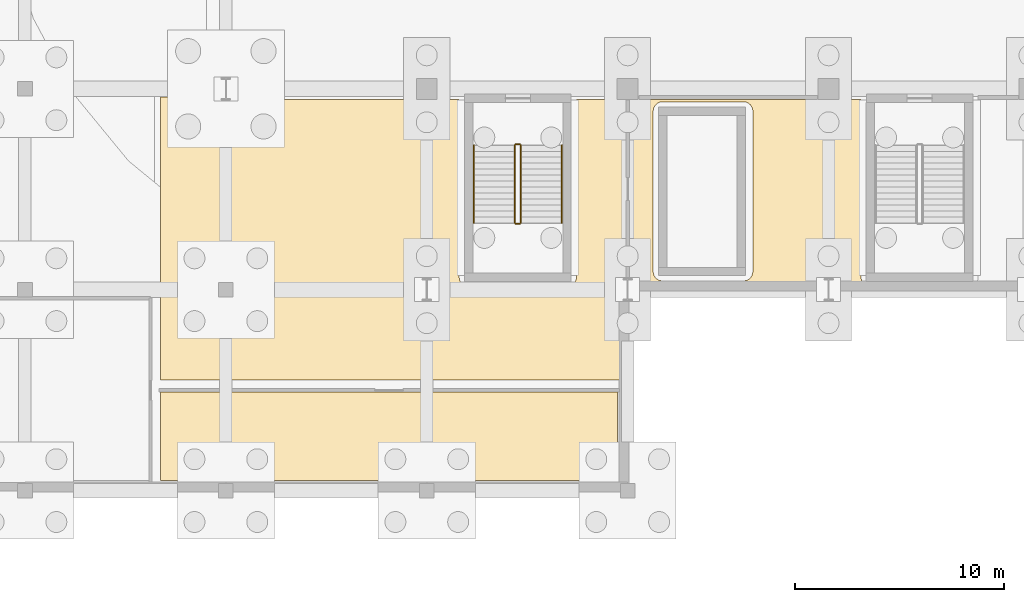
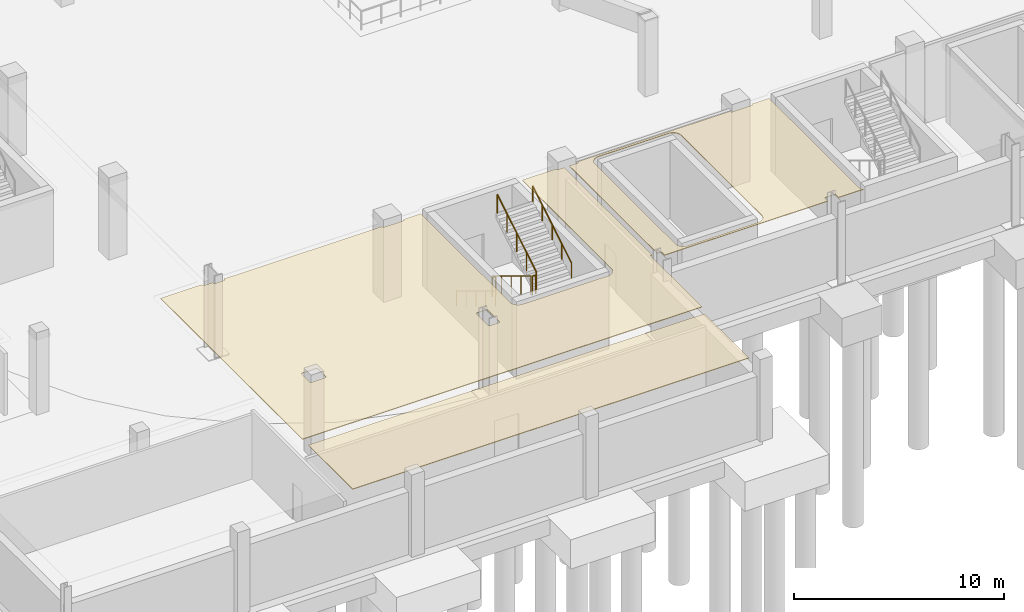
# One storey, part 43 of 67: 6 railings, 3 coverings.
"""IFC4 building model written with IfcOpenShell, lengths in metres."""

from ifc_helpers import new_model, si_unit, direction, frame, origin, origin_2d, place, context, subcontext, project, spatial, polyline, circle, outline, extrude, material, layer, layer_set, type_object, element, save


model = new_model("IFC4")

# Units and contexts
model_context = context("Model", 3, precision=1e-05, world=origin(), true_north=direction((0.0, 1.0)))
body_context = subcontext(model_context, "Body", "Model", "MODEL_VIEW")
ifc_project = project(units=[si_unit("LENGTHUNIT", "METRE"), si_unit("AREAUNIT", "SQUARE_METRE"), si_unit("VOLUMEUNIT", "CUBIC_METRE"), si_unit("PLANEANGLEUNIT", "RADIAN"), si_unit("MASSUNIT", "GRAM", prefix="KILO")], contexts=[model_context])

# Site, building, storey
site_placement = place(None, origin())
site = spatial("IfcSite", under=ifc_project, at=site_placement, CompositionType="ELEMENT")
building_placement = place(site_placement, origin())
building = spatial("IfcBuilding", under=site, at=building_placement, Name="Caelomonte Colonnade Arena", CompositionType="ELEMENT")
storey_placement = place(building_placement, frame((0.0, 0.0, -4.800048828125)))
storey = spatial("IfcBuildingStorey", under=building, at=storey_placement, Name="B1", CompositionType="ELEMENT", Elevation=-4.800048828125)

# Coverings
ifc_material_1 = material(Name="Perforated acoustic mineral-fibre ceiling")
ifc_layer = layer(ifc_material_1, 0.0400390625)
ifc_layer_set = layer_set([ifc_layer], Name="Perforated acoustic mineral-fibre ceiling")
covering_type = type_object("IfcCoveringType", Name="INT-CV-CEIL1", PredefinedType="CEILING", material=ifc_layer_set)
covering_1_placement = place(storey_placement, frame((0.0, 0.0, 4.420166015625)))
element("IfcCovering", 1, at=covering_1_placement, inside=storey, type_object=covering_type, Name="B1 Athlete Media Mix Zone acoustic ceiling", PredefinedType="CEILING", context=body_context, shape_type="SweptSolid", body=[
    extrude(outline(polyline([(96.30859375, 19.5), (97.665283203125, 19.5), (97.652099609375, 19.514404296875), (97.625732421875, 19.550048828125), (97.60302734375, 19.587890625), (97.584228515625, 19.627685546875), (97.5693359375, 19.66943359375), (97.55859375, 19.712158203125), (97.55224609375, 19.755859375), (97.550048828125, 19.800048828125), (97.550048828125, 28.300048828125), (96.594970703125, 28.300048828125), (96.594970703125, 28.284912109375), (96.594482421875, 28.277099609375), (96.593505859375, 28.269287109375), (96.591552734375, 28.26171875), (96.5888671875, 28.25439453125), (96.585693359375, 28.247314453125), (96.58154296875, 28.240478515625), (96.576904296875, 28.234130859375), (96.571533203125, 28.228515625), (96.56591796875, 28.22314453125), (96.559326171875, 28.218505859375), (96.552734375, 28.21435546875), (96.545654296875, 28.211181640625), (96.5380859375, 28.20849609375), (96.530517578125, 28.20654296875), (96.522705078125, 28.205322265625), (96.514892578125, 28.205078125), (95.485107421875, 28.205078125), (95.477294921875, 28.205322265625), (95.469482421875, 28.20654296875), (95.4619140625, 28.20849609375), (95.454345703125, 28.211181640625), (95.447265625, 28.21435546875), (95.440673828125, 28.218505859375), (95.43408203125, 28.22314453125), (95.428466796875, 28.228515625), (95.423095703125, 28.234130859375), (95.41845703125, 28.240478515625), (95.414306640625, 28.247314453125), (95.4111328125, 28.25439453125), (95.408447265625, 28.26171875), (95.406494140625, 28.269287109375), (95.405517578125, 28.277099609375), (95.405029296875, 28.284912109375), (95.405029296875, 28.300048828125), (86.9951171875, 28.300048828125), (86.9951171875, 28.284912109375), (86.99462890625, 28.277099609375), (86.993408203125, 28.269287109375), (86.99169921875, 28.26171875), (86.989013671875, 28.25439453125), (86.985595703125, 28.247314453125), (86.9814453125, 28.240478515625), (86.976806640625, 28.234130859375), (86.9716796875, 28.228515625), (86.9658203125, 28.22314453125), (86.95947265625, 28.218505859375), (86.95263671875, 28.21435546875), (86.945556640625, 28.211181640625), (86.938232421875, 28.20849609375), (86.9306640625, 28.20654296875), (86.9228515625, 28.205322265625), (86.9150390625, 28.205078125), (86.47998046875, 28.205078125), (86.47998046875, 19.815673828125), (86.62841796875, 19.815673828125), (86.63623046875, 19.815185546875), (86.64404296875, 19.814208984375), (86.651611328125, 19.812255859375), (86.6591796875, 19.8095703125), (86.666259765625, 19.806396484375), (86.6728515625, 19.80224609375), (86.67919921875, 19.797607421875), (86.68505859375, 19.792236328125), (86.690185546875, 19.78662109375), (86.695068359375, 19.780029296875), (86.69921875, 19.7734375), (86.702392578125, 19.766357421875), (86.705078125, 19.7587890625), (86.70703125, 19.751220703125), (86.7080078125, 19.743408203125), (86.70849609375, 19.735595703125), (86.70849609375, 19.5), (95.69140625, 19.5), (95.69140625, 19.735595703125), (95.69189453125, 19.743408203125), (95.693115234375, 19.751220703125), (95.69482421875, 19.7587890625), (95.697509765625, 19.766357421875), (95.700927734375, 19.7734375), (95.705078125, 19.780029296875), (95.709716796875, 19.78662109375), (95.71484375, 19.792236328125), (95.720703125, 19.797607421875), (95.72705078125, 19.80224609375), (95.73388671875, 19.806396484375), (95.740966796875, 19.8095703125), (95.748291015625, 19.812255859375), (95.755859375, 19.814208984375), (95.763671875, 19.815185546875), (95.771484375, 19.815673828125), (96.228515625, 19.815673828125), (96.236328125, 19.815185546875), (96.244140625, 19.814208984375), (96.251708984375, 19.812255859375), (96.259033203125, 19.8095703125), (96.26611328125, 19.806396484375), (96.27294921875, 19.80224609375), (96.279296875, 19.797607421875), (96.28515625, 19.792236328125), (96.290283203125, 19.78662109375), (96.294921875, 19.780029296875), (96.299072265625, 19.7734375), (96.302490234375, 19.766357421875), (96.30517578125, 19.7587890625), (96.306884765625, 19.751220703125), (96.30810546875, 19.743408203125), (96.30859375, 19.735595703125), (96.30859375, 19.5)]), holes=[polyline([(87.939453125, 19.639404296875), (87.897705078125, 19.654296875), (87.85791015625, 19.673095703125), (87.820068359375, 19.69580078125), (87.784423828125, 19.72216796875), (87.751708984375, 19.751708984375), (87.72216796875, 19.784423828125), (87.69580078125, 19.820068359375), (87.673095703125, 19.85791015625), (87.654296875, 19.897705078125), (87.639404296875, 19.939453125), (87.628662109375, 19.982177734375), (87.622314453125, 20.02587890625), (87.6201171875, 20.070068359375), (87.6201171875, 27.72998046875), (87.622314453125, 27.774169921875), (87.628662109375, 27.81787109375), (87.639404296875, 27.860595703125), (87.654296875, 27.902099609375), (87.673095703125, 27.942138671875), (87.69580078125, 27.97998046875), (87.72216796875, 28.015380859375), (87.751708984375, 28.048095703125), (87.784423828125, 28.077880859375), (87.820068359375, 28.104248046875), (87.85791015625, 28.126953125), (87.897705078125, 28.145751953125), (87.939453125, 28.16064453125), (87.982177734375, 28.17138671875), (88.02587890625, 28.177734375), (88.070068359375, 28.179931640625), (91.830078125, 28.179931640625), (91.929931640625, 28.179931640625), (91.97412109375, 28.177734375), (92.017822265625, 28.17138671875), (92.060546875, 28.16064453125), (92.102294921875, 28.145751953125), (92.14208984375, 28.126953125), (92.179931640625, 28.104248046875), (92.215576171875, 28.077880859375), (92.248291015625, 28.048095703125), (92.27783203125, 28.015380859375), (92.30419921875, 27.97998046875), (92.326904296875, 27.942138671875), (92.345703125, 27.902099609375), (92.360595703125, 27.860595703125), (92.371337890625, 27.81787109375), (92.377685546875, 27.774169921875), (92.3798828125, 27.72998046875), (92.3798828125, 20.070068359375), (92.377685546875, 20.02587890625), (92.371337890625, 19.982177734375), (92.360595703125, 19.939453125), (92.345703125, 19.897705078125), (92.326904296875, 19.85791015625), (92.30419921875, 19.820068359375), (92.27783203125, 19.784423828125), (92.248291015625, 19.751708984375), (92.215576171875, 19.72216796875), (92.179931640625, 19.69580078125), (92.14208984375, 19.673095703125), (92.102294921875, 19.654296875), (92.060546875, 19.639404296875), (92.017822265625, 19.628662109375), (91.97412109375, 19.622314453125), (91.929931640625, 19.6201171875), (91.830078125, 19.6201171875), (88.070068359375, 19.6201171875), (88.02587890625, 19.622314453125), (87.982177734375, 19.628662109375), (87.939453125, 19.639404296875)])]), origin(), (0.0, 0.0, 1.0), 0.039794921875),
])
covering_2_placement = place(storey_placement, frame((0.0, 0.0, 4.420166015625)))
element("IfcCovering", 2, at=covering_2_placement, inside=storey, type_object=covering_type, Name="B1 South-West Staff Concourse acoustic ceiling", PredefinedType="CEILING", context=body_context, shape_type="SweptSolid", body=[
    extrude(outline(polyline([(66.31689453125, 28.419921875), (66.31689453125, 28.419921875), (64.080078125, 28.419921875), (64.080078125, 14.8798828125), (86.10009765625, 14.8798828125), (86.10009765625, 18.628662109375), (86.09765625, 18.6337890625), (86.094970703125, 18.64111328125), (86.093017578125, 18.648681640625), (86.091796875, 18.656494140625), (86.091552734375, 18.664306640625), (86.091552734375, 19.735595703125), (86.091796875, 19.743408203125), (86.093017578125, 19.751220703125), (86.094970703125, 19.7587890625), (86.09765625, 19.766357421875), (86.100830078125, 19.7734375), (86.10498046875, 19.780029296875), (86.109619140625, 19.78662109375), (86.114990234375, 19.792236328125), (86.12060546875, 19.797607421875), (86.127197265625, 19.80224609375), (86.1337890625, 19.806396484375), (86.140869140625, 19.8095703125), (86.148193359375, 19.812255859375), (86.156005859375, 19.814208984375), (86.163818359375, 19.815185546875), (86.17138671875, 19.815673828125), (86.199951171875, 19.815673828125), (86.199951171875, 28.205078125), (85.885009765625, 28.205078125), (85.877197265625, 28.205322265625), (85.869384765625, 28.20654296875), (85.86181640625, 28.20849609375), (85.8544921875, 28.211181640625), (85.847412109375, 28.21435546875), (85.840576171875, 28.218505859375), (85.834228515625, 28.22314453125), (85.828369140625, 28.228515625), (85.8232421875, 28.234130859375), (85.818603515625, 28.240478515625), (85.814453125, 28.247314453125), (85.81103515625, 28.25439453125), (85.808349609375, 28.26171875), (85.806396484375, 28.269287109375), (85.805419921875, 28.277099609375), (85.804931640625, 28.284912109375), (85.804931640625, 28.300048828125), (83.949951171875, 28.300048828125), (83.949951171875, 19.800048828125), (83.94775390625, 19.755859375), (83.94140625, 19.712158203125), (83.9306640625, 19.66943359375), (83.915771484375, 19.627685546875), (83.89697265625, 19.587890625), (83.874267578125, 19.550048828125), (83.847900390625, 19.514404296875), (83.818115234375, 19.481689453125), (83.785400390625, 19.4521484375), (83.75, 19.42578125), (83.712158203125, 19.403076171875), (83.672119140625, 19.38427734375), (83.630615234375, 19.369384765625), (83.587890625, 19.358642578125), (83.544189453125, 19.352294921875), (83.5, 19.35009765625), (78.800048828125, 19.35009765625), (78.755859375, 19.352294921875), (78.712158203125, 19.358642578125), (78.66943359375, 19.369384765625), (78.627685546875, 19.38427734375), (78.587890625, 19.403076171875), (78.550048828125, 19.42578125), (78.514404296875, 19.4521484375), (78.481689453125, 19.481689453125), (78.4521484375, 19.514404296875), (78.42578125, 19.550048828125), (78.403076171875, 19.587890625), (78.38427734375, 19.627685546875), (78.369384765625, 19.66943359375), (78.358642578125, 19.712158203125), (78.352294921875, 19.755859375), (78.35009765625, 19.800048828125), (78.35009765625, 28.300048828125), (77.39501953125, 28.300048828125), (77.39501953125, 28.284912109375), (77.39453125, 28.277099609375), (77.3935546875, 28.269287109375), (77.3916015625, 28.26171875), (77.388916015625, 28.25439453125), (77.385498046875, 28.247314453125), (77.381591796875, 28.240478515625), (77.376708984375, 28.234130859375), (77.37158203125, 28.228515625), (77.36572265625, 28.22314453125), (77.359375, 28.218505859375), (77.352783203125, 28.21435546875), (77.345703125, 28.211181640625), (77.338134765625, 28.20849609375), (77.33056640625, 28.20654296875), (77.32275390625, 28.205322265625), (77.31494140625, 28.205078125), (76.284912109375, 28.205078125), (76.277099609375, 28.205322265625), (76.269287109375, 28.20654296875), (76.26171875, 28.20849609375), (76.25439453125, 28.211181640625), (76.247314453125, 28.21435546875), (76.240478515625, 28.218505859375), (76.234130859375, 28.22314453125), (76.228515625, 28.228515625), (76.22314453125, 28.234130859375), (76.218505859375, 28.240478515625), (76.21435546875, 28.247314453125), (76.211181640625, 28.25439453125), (76.20849609375, 28.26171875), (76.20654296875, 28.269287109375), (76.205322265625, 28.277099609375), (76.205078125, 28.284912109375), (76.205078125, 28.300048828125), (67.508544921875, 28.300048828125), (67.508544921875, 28.264404296875), (67.508056640625, 28.256591796875), (67.507080078125, 28.248779296875), (67.505126953125, 28.2412109375), (67.50244140625, 28.233642578125), (67.4990234375, 28.2265625), (67.4951171875, 28.219970703125), (67.490234375, 28.21337890625), (67.485107421875, 28.207763671875), (67.479248046875, 28.202392578125), (67.472900390625, 28.19775390625), (67.46630859375, 28.193603515625), (67.458984375, 28.1904296875), (67.45166015625, 28.187744140625), (67.444091796875, 28.185791015625), (67.436279296875, 28.184814453125), (67.428466796875, 28.184326171875), (66.971435546875, 28.184326171875), (66.963623046875, 28.184814453125), (66.955810546875, 28.185791015625), (66.9482421875, 28.187744140625), (66.94091796875, 28.1904296875), (66.933837890625, 28.193603515625), (66.927001953125, 28.19775390625), (66.920654296875, 28.202392578125), (66.914794921875, 28.207763671875), (66.90966796875, 28.21337890625), (66.905029296875, 28.219970703125), (66.90087890625, 28.2265625), (66.897705078125, 28.233642578125), (66.89501953125, 28.2412109375), (66.89306640625, 28.248779296875), (66.891845703125, 28.256591796875), (66.8916015625, 28.264404296875), (66.8916015625, 28.300048828125), (66.5, 28.300048828125), (66.49609375, 28.300048828125), (66.484375, 28.30078125), (66.4765625, 28.301513671875), (66.46484375, 28.30322265625), (66.457275390625, 28.3046875), (66.44580078125, 28.3076171875), (66.438232421875, 28.309814453125), (66.427001953125, 28.313720703125), (66.419921875, 28.31689453125), (66.4091796875, 28.322021484375), (66.40234375, 28.32568359375), (66.39208984375, 28.33154296875), (66.3857421875, 28.3359375), (66.376220703125, 28.343017578125), (66.3701171875, 28.347900390625), (66.361328125, 28.35595703125), (66.35595703125, 28.361328125), (66.347900390625, 28.3701171875), (66.343017578125, 28.376220703125), (66.3359375, 28.3857421875), (66.33154296875, 28.39208984375), (66.32568359375, 28.40234375), (66.322021484375, 28.4091796875), (66.31689453125, 28.419921875)]), holes=[polyline([(76.491943359375, 18.656494140625), (76.491455078125, 18.664306640625), (76.491455078125, 19.735595703125), (76.491943359375, 19.743408203125), (76.492919921875, 19.751220703125), (76.494873046875, 19.7587890625), (76.49755859375, 19.766357421875), (76.5009765625, 19.7734375), (76.5048828125, 19.780029296875), (76.509765625, 19.78662109375), (76.514892578125, 19.792236328125), (76.520751953125, 19.797607421875), (76.527099609375, 19.80224609375), (76.53369140625, 19.806396484375), (76.541015625, 19.8095703125), (76.54833984375, 19.812255859375), (76.555908203125, 19.814208984375), (76.563720703125, 19.815185546875), (76.571533203125, 19.815673828125), (77.028564453125, 19.815673828125), (77.036376953125, 19.815185546875), (77.044189453125, 19.814208984375), (77.0517578125, 19.812255859375), (77.05908203125, 19.8095703125), (77.066162109375, 19.806396484375), (77.072998046875, 19.80224609375), (77.079345703125, 19.797607421875), (77.085205078125, 19.792236328125), (77.09033203125, 19.78662109375), (77.094970703125, 19.780029296875), (77.09912109375, 19.7734375), (77.102294921875, 19.766357421875), (77.10498046875, 19.7587890625), (77.10693359375, 19.751220703125), (77.108154296875, 19.743408203125), (77.1083984375, 19.735595703125), (77.1083984375, 18.664306640625), (77.108154296875, 18.656494140625), (77.10693359375, 18.648681640625), (77.10498046875, 18.64111328125), (77.102294921875, 18.6337890625), (77.09912109375, 18.626708984375), (77.094970703125, 18.619873046875), (77.09033203125, 18.613525390625), (77.085205078125, 18.607666015625), (77.079345703125, 18.6025390625), (77.072998046875, 18.597900390625), (77.066162109375, 18.59375), (77.05908203125, 18.59033203125), (77.0517578125, 18.587646484375), (77.044189453125, 18.585693359375), (77.036376953125, 18.584716796875), (77.028564453125, 18.584228515625), (76.571533203125, 18.584228515625), (76.563720703125, 18.584716796875), (76.555908203125, 18.585693359375), (76.54833984375, 18.587646484375), (76.541015625, 18.59033203125), (76.53369140625, 18.59375), (76.527099609375, 18.597900390625), (76.520751953125, 18.6025390625), (76.514892578125, 18.607666015625), (76.509765625, 18.613525390625), (76.5048828125, 18.619873046875), (76.5009765625, 18.626708984375), (76.49755859375, 18.6337890625), (76.494873046875, 18.64111328125), (76.492919921875, 18.648681640625), (76.491943359375, 18.656494140625)]), polyline([(66.75537109375, 18.8271484375), (66.7548828125, 18.8349609375), (66.7548828125, 19.56494140625), (66.75537109375, 19.57275390625), (66.756591796875, 19.58056640625), (66.75830078125, 19.588134765625), (66.760986328125, 19.595703125), (66.764404296875, 19.602783203125), (66.7685546875, 19.609375), (66.773193359375, 19.61572265625), (66.7783203125, 19.62158203125), (66.7841796875, 19.626708984375), (66.79052734375, 19.631591796875), (66.79736328125, 19.635498046875), (66.804443359375, 19.638916015625), (66.811767578125, 19.6416015625), (66.8193359375, 19.6435546875), (66.8271484375, 19.64453125), (66.8349609375, 19.64501953125), (67.56494140625, 19.64501953125), (67.57275390625, 19.64453125), (67.58056640625, 19.6435546875), (67.588134765625, 19.6416015625), (67.595703125, 19.638916015625), (67.602783203125, 19.635498046875), (67.609375, 19.631591796875), (67.61572265625, 19.626708984375), (67.62158203125, 19.62158203125), (67.626708984375, 19.61572265625), (67.631591796875, 19.609375), (67.635498046875, 19.602783203125), (67.638916015625, 19.595703125), (67.6416015625, 19.588134765625), (67.6435546875, 19.58056640625), (67.64453125, 19.57275390625), (67.64501953125, 19.56494140625), (67.64501953125, 18.8349609375), (67.64453125, 18.8271484375), (67.6435546875, 18.8193359375), (67.6416015625, 18.811767578125), (67.638916015625, 18.804443359375), (67.635498046875, 18.79736328125), (67.631591796875, 18.79052734375), (67.626708984375, 18.7841796875), (67.62158203125, 18.7783203125), (67.61572265625, 18.773193359375), (67.609375, 18.7685546875), (67.602783203125, 18.764404296875), (67.595703125, 18.760986328125), (67.588134765625, 18.75830078125), (67.58056640625, 18.756591796875), (67.57275390625, 18.75537109375), (67.56494140625, 18.7548828125), (66.8349609375, 18.7548828125), (66.8271484375, 18.75537109375), (66.8193359375, 18.756591796875), (66.811767578125, 18.75830078125), (66.804443359375, 18.760986328125), (66.79736328125, 18.764404296875), (66.79052734375, 18.7685546875), (66.7841796875, 18.773193359375), (66.7783203125, 18.7783203125), (66.773193359375, 18.7841796875), (66.7685546875, 18.79052734375), (66.764404296875, 18.79736328125), (66.760986328125, 18.804443359375), (66.75830078125, 18.811767578125), (66.756591796875, 18.8193359375), (66.75537109375, 18.8271484375)])]), origin(), (0.0, 0.0, 1.0), 0.039794921875),
])
covering_3_placement = place(storey_placement, frame((0.0, 0.0, 4.420166015625)))
element("IfcCovering", 3, at=covering_3_placement, inside=storey, type_object=covering_type, Name="B1 Staff Bicycle and Locker Room acoustic ceiling", PredefinedType="CEILING", context=body_context, shape_type="SweptSolid", body=[
    extrude(outline(polyline([(85.919921875, 14.320068359375), (64.080078125, 14.320068359375), (64.080078125, 10.080078125), (85.919921875, 10.080078125), (85.919921875, 14.320068359375)])), origin(), (0.0, 0.0, 1.0), 0.039794921875),
])

# Railings
ifc_material_2 = material(Name="Painted galvanized steel stair guard", Category="steel")
railing_type_1 = type_object("IfcRailingType", Name="INT-RL-GRD", PredefinedType="GUARDRAIL", material=ifc_material_2)
railing_1_placement = place(storey_placement, frame((81.0, 26.10009765625, 0.17138671875)))
element("IfcRailing", 4, at=railing_1_placement, inside=storey, type_object=railing_type_1, Name="B1 ST-11 stair guard 1", PredefinedType="GUARDRAIL", context=body_context, shape_type="SweptSolid", body=[
    extrude(circle(Radius=0.02392578125, at=origin_2d()), frame((0.0, 0.0, 1.076171875), z_axis=(0.0, -0.856909459561, 0.515466951525), x_axis=(1.0, 0.0, 0.0)), (0.0, 0.0, 1.0), 4.32373046875),
    extrude(circle(Radius=0.02099609375, at=origin_2d()), origin(), (0.0, 0.0, 1.0), 1.048095703125),
    extrude(circle(Radius=0.02099609375, at=origin_2d()), frame((0.0, -0.92626953125, 0.55712890625)), (0.0, 0.0, 1.0), 1.048095703125),
    extrude(circle(Radius=0.02099609375, at=origin_2d()), frame((0.0, -1.8525390625, 1.1142578125)), (0.0, 0.0, 1.0), 1.048095703125),
    extrude(circle(Radius=0.02099609375, at=origin_2d()), frame((0.0, -2.77880859375, 1.671630859375)), (0.0, 0.0, 1.0), 1.048095703125),
    extrude(circle(Radius=0.02099609375, at=origin_2d()), frame((0.0, -3.705078125, 2.228759765625)), (0.0, 0.0, 1.0), 1.048095703125),
])
railing_2_placement = place(storey_placement, frame((81.050048828125, 22.344970703125, 2.400146484375)))
element("IfcRailing", 5, at=railing_2_placement, inside=storey, type_object=railing_type_1, Name="B1 ST-11 stair guard 2", PredefinedType="GUARDRAIL", context=body_context, shape_type="SweptSolid", body=[
    extrude(circle(Radius=0.02392578125, at=origin_2d()), frame((0.0, 0.0, 1.076171875), z_axis=(1.0, 0.0, 0.0), x_axis=(0.0, 1.0, 0.0)), (0.0, 0.0, 1.0), 0.199951171875),
    extrude(circle(Radius=0.02099609375, at=origin_2d()), origin(), (0.0, 0.0, 1.0), 1.048095703125),
    extrude(circle(Radius=0.02099609375, at=origin_2d()), frame((0.199951171875, 0.0, 0.0)), (0.0, 0.0, 1.0), 1.048095703125),
])
railing_3_placement = place(storey_placement, frame((81.300048828125, 22.39501953125, 2.571533203125)))
element("IfcRailing", 6, at=railing_3_placement, inside=storey, type_object=railing_type_1, Name="B1 ST-11 stair guard 3", PredefinedType="GUARDRAIL", context=body_context, shape_type="SweptSolid", body=[
    extrude(circle(Radius=0.02392578125, at=origin_2d()), frame((0.0, 0.0, 1.076171875), z_axis=(0.0, 0.856934400257, 0.515425487977), x_axis=(-1.0, 0.0, 0.0)), (0.0, 0.0, 1.0), 4.32373046875),
    extrude(circle(Radius=0.02099609375, at=origin_2d()), origin(), (0.0, 0.0, 1.0), 1.048095703125),
    extrude(circle(Radius=0.02099609375, at=origin_2d()), frame((0.0, 0.92626953125, 0.55712890625)), (0.0, 0.0, 1.0), 1.048095703125),
    extrude(circle(Radius=0.02099609375, at=origin_2d()), frame((0.0, 1.8525390625, 1.1142578125)), (0.0, 0.0, 1.0), 1.048095703125),
    extrude(circle(Radius=0.02099609375, at=origin_2d()), frame((0.0, 2.77880859375, 1.67138671875)), (0.0, 0.0, 1.0), 1.048095703125),
    extrude(circle(Radius=0.02099609375, at=origin_2d()), frame((0.0, 3.705078125, 2.228515625)), (0.0, 0.0, 1.0), 1.048095703125),
])
railing_4_placement = place(storey_placement, frame((81.050048828125, 26.14990234375, 0.0)))
element("IfcRailing", 7, at=railing_4_placement, inside=storey, type_object=railing_type_1, Name="B1 ST-11 stair guard 4", PredefinedType="GUARDRAIL", context=body_context, shape_type="SweptSolid", body=[
    extrude(circle(Radius=0.02392578125, at=origin_2d()), frame((0.0, 0.0, 1.076171875), z_axis=(1.0, 0.0, 0.0), x_axis=(0.0, 1.0, 0.0)), (0.0, 0.0, 1.0), 0.199951171875),
    extrude(circle(Radius=0.02099609375, at=origin_2d()), origin(), (0.0, 0.0, 1.0), 1.048095703125),
    extrude(circle(Radius=0.02099609375, at=origin_2d()), frame((0.199951171875, 0.0, 0.0)), (0.0, 0.0, 1.0), 1.048095703125),
])
ifc_material_3 = material(Name="Brushed stainless steel stair handrail", Category="steel")
railing_type_2 = type_object("IfcRailingType", Name="INT-RL-HR", PredefinedType="HANDRAIL", material=ifc_material_3)
railing_5_placement = place(storey_placement, frame((79.050048828125, 26.10009765625, 0.17138671875)))
element("IfcRailing", 8, at=railing_5_placement, inside=storey, type_object=railing_type_2, Name="B1 ST-11 stair handrail 1", PredefinedType="HANDRAIL", context=body_context, shape_type="SweptSolid", body=[
    extrude(circle(Radius=0.02392578125, at=origin_2d()), frame((0.0, 0.0, 0.8759765625), z_axis=(0.0, -0.856909459561, 0.515466951525), x_axis=(1.0, 0.0, 0.0)), (0.0, 0.0, 1.0), 4.32373046875),
    extrude(circle(Radius=0.02099609375, at=origin_2d()), origin(), (0.0, 0.0, 1.0), 0.847900390625),
    extrude(circle(Radius=0.02099609375, at=origin_2d()), frame((0.0, -0.92626953125, 0.55712890625)), (0.0, 0.0, 1.0), 0.847900390625),
    extrude(circle(Radius=0.02099609375, at=origin_2d()), frame((0.0, -1.8525390625, 1.1142578125)), (0.0, 0.0, 1.0), 0.847900390625),
    extrude(circle(Radius=0.02099609375, at=origin_2d()), frame((0.0, -2.77880859375, 1.671630859375)), (0.0, 0.0, 1.0), 0.847900390625),
    extrude(circle(Radius=0.02099609375, at=origin_2d()), frame((0.0, -3.705078125, 2.228759765625)), (0.0, 0.0, 1.0), 0.847900390625),
])
railing_6_placement = place(storey_placement, frame((83.25, 22.39501953125, 2.571533203125)))
element("IfcRailing", 9, at=railing_6_placement, inside=storey, type_object=railing_type_2, Name="B1 ST-11 stair handrail 2", PredefinedType="HANDRAIL", context=body_context, shape_type="SweptSolid", body=[
    extrude(circle(Radius=0.02392578125, at=origin_2d()), frame((0.0, 0.0, 0.8759765625), z_axis=(0.0, 0.856934400257, 0.515425487977), x_axis=(-1.0, 0.0, 0.0)), (0.0, 0.0, 1.0), 4.32373046875),
    extrude(circle(Radius=0.02099609375, at=origin_2d()), origin(), (0.0, 0.0, 1.0), 0.847900390625),
    extrude(circle(Radius=0.02099609375, at=origin_2d()), frame((0.0, 0.92626953125, 0.55712890625)), (0.0, 0.0, 1.0), 0.847900390625),
    extrude(circle(Radius=0.02099609375, at=origin_2d()), frame((0.0, 1.8525390625, 1.1142578125)), (0.0, 0.0, 1.0), 0.847900390625),
    extrude(circle(Radius=0.02099609375, at=origin_2d()), frame((0.0, 2.77880859375, 1.67138671875)), (0.0, 0.0, 1.0), 0.847900390625),
    extrude(circle(Radius=0.02099609375, at=origin_2d()), frame((0.0, 3.705078125, 2.228515625)), (0.0, 0.0, 1.0), 0.847900390625),
])

save(model, "model.ifc")
